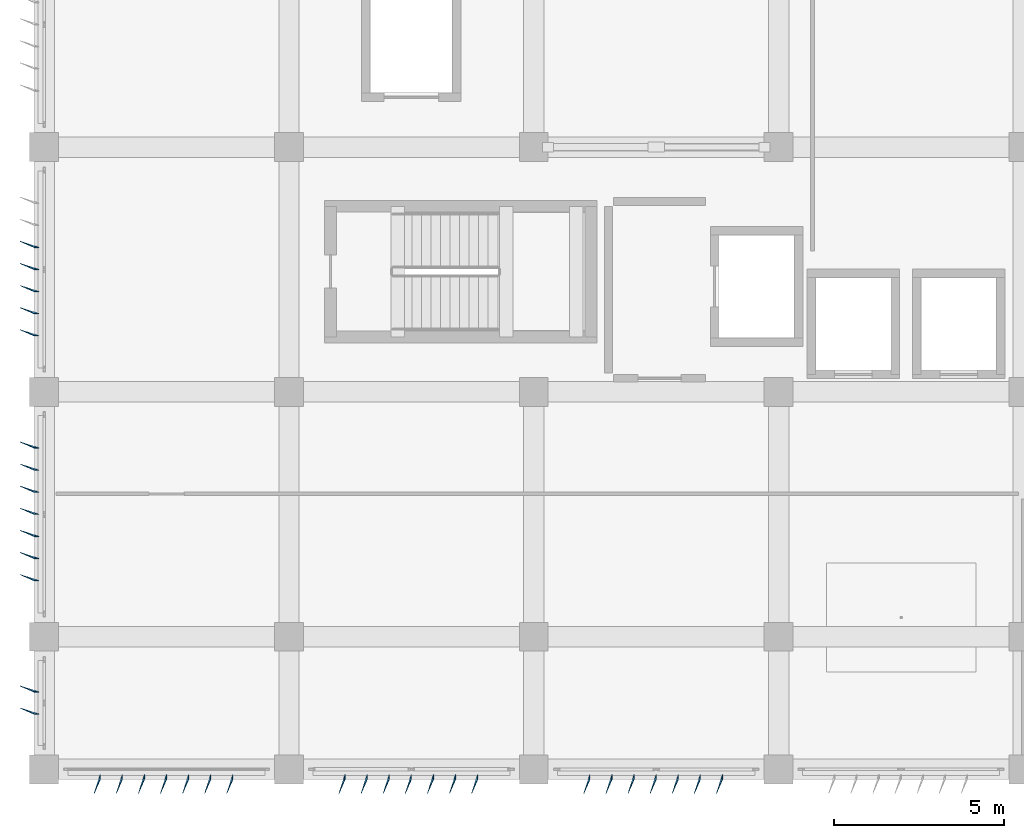
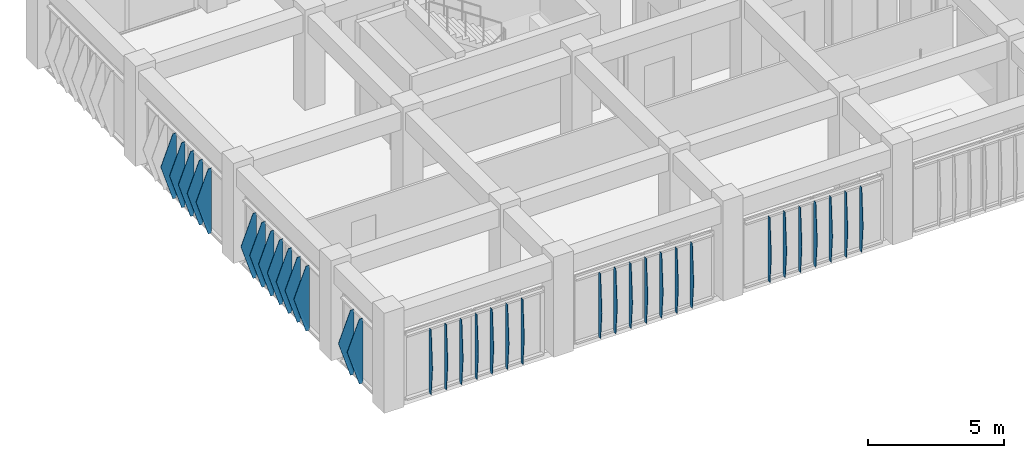
# One storey, part 42 of 48: 35 plates.
"""IFC4 building model written with IfcOpenShell, lengths in metres."""

from ifc_helpers import new_model, si_unit, direction, frame, origin, place, context, subcontext, project, spatial, polygons, material, layer, layer_set, type_object, element, save


model = new_model("IFC4")

# Units and contexts
model_context = context("Model", 3, precision=1e-05, world=origin(), true_north=direction((0.0, 1.0)))
body_context = subcontext(model_context, "Body", "Model", "MODEL_VIEW")
ifc_project = project(units=[si_unit("LENGTHUNIT", "METRE"), si_unit("AREAUNIT", "SQUARE_METRE"), si_unit("VOLUMEUNIT", "CUBIC_METRE"), si_unit("PLANEANGLEUNIT", "RADIAN"), si_unit("MASSUNIT", "GRAM", prefix="KILO")], contexts=[model_context])

# Site, building, storey
site_placement = place(None, origin())
site = spatial("IfcSite", under=ifc_project, at=site_placement, CompositionType="ELEMENT")
building_placement = place(site_placement, origin())
building = spatial("IfcBuilding", under=site, at=building_placement, Name="Kazehaya Institute of Natural Sciences", CompositionType="ELEMENT")
storey_placement = place(building_placement, frame((0.0, 0.0, 19.800048828125)))
storey = spatial("IfcBuildingStorey", under=building, at=storey_placement, Name="L04", CompositionType="ELEMENT", Elevation=19.800048828125)

# Plates
ifc_material = material(Name="Bronze-anodised aluminium alloy A6063S-T5", Category="aluminium")
ifc_layer_1 = layer(ifc_material, 0.02001953125, Name="Bronze-anodised aluminium alloy A6063S-T5", Category="aluminium")
ifc_layer_set_1 = layer_set([ifc_layer_1], Name="Bronze-anodised aluminium alloy A6063S-T5")
plate_type_1 = type_object("IfcPlateType", Name="FIN-DF-E1", PredefinedType="USERDEFINED", material=ifc_layer_set_1)
plate_1_placement = place(storey_placement, origin())
element("IfcPlate", 1, at=plate_1_placement, inside=storey, type_object=plate_type_1, Name="L04 folded diamond-pyramid shading fin FIN-L04-W-0186", ObjectType="SHADING_FIN", PredefinedType="USERDEFINED", context=body_context, shape_type="Tessellation", body=[
    polygons([(54.445068359375, 11.715087890625, 0.0400390625), (54.300048828125, 11.715087890625, 0.0400390625), (53.889892578125, 11.893798828125, 1.5), (54.300048828125, 11.715087890625, 2.9599609375), (54.445068359375, 11.715087890625, 2.9599609375), (54.445068359375, 11.735107421875, 0.0400390625), (54.300048828125, 11.735107421875, 0.0400390625), (53.889892578125, 11.913818359375, 1.5), (54.300048828125, 11.735107421875, 2.9599609375), (54.445068359375, 11.735107421875, 2.9599609375)], [[[1, 5, 4, 3, 2]], [[6, 7, 8, 9, 10]], [[1, 2, 7, 6]], [[2, 3, 8, 7]], [[3, 4, 9, 8]], [[4, 5, 10, 9]], [[5, 1, 6, 10]]], closed=True),
])
plate_2_placement = place(storey_placement, origin())
element("IfcPlate", 2, at=plate_2_placement, inside=storey, type_object=plate_type_1, Name="L04 folded diamond-pyramid shading fin FIN-L04-W-0187", ObjectType="SHADING_FIN", PredefinedType="USERDEFINED", context=body_context, shape_type="Tessellation", body=[
    polygons([(54.445068359375, 12.364990234375, 0.0400390625), (54.300048828125, 12.364990234375, 0.0400390625), (53.889892578125, 12.543701171875, 1.5), (54.300048828125, 12.364990234375, 2.9599609375), (54.445068359375, 12.364990234375, 2.9599609375), (54.445068359375, 12.385009765625, 0.0400390625), (54.300048828125, 12.385009765625, 0.0400390625), (53.889892578125, 12.563720703125, 1.5), (54.300048828125, 12.385009765625, 2.9599609375), (54.445068359375, 12.385009765625, 2.9599609375)], [[[1, 5, 4, 3, 2]], [[6, 7, 8, 9, 10]], [[1, 2, 7, 6]], [[2, 3, 8, 7]], [[3, 4, 9, 8]], [[4, 5, 10, 9]], [[5, 1, 6, 10]]], closed=True),
])
plate_3_placement = place(storey_placement, origin())
element("IfcPlate", 3, at=plate_3_placement, inside=storey, type_object=plate_type_1, Name="L04 folded diamond-pyramid shading fin FIN-L04-W-0190", ObjectType="SHADING_FIN", PredefinedType="USERDEFINED", context=body_context, shape_type="Tessellation", body=[
    polygons([(54.445068359375, 15.639892578125, 0.0400390625), (54.300048828125, 15.639892578125, 0.0400390625), (53.889892578125, 15.818603515625, 1.5), (54.300048828125, 15.639892578125, 2.9599609375), (54.445068359375, 15.639892578125, 2.9599609375), (54.445068359375, 15.659912109375, 0.0400390625), (54.300048828125, 15.659912109375, 0.0400390625), (53.889892578125, 15.838623046875, 1.5), (54.300048828125, 15.659912109375, 2.9599609375), (54.445068359375, 15.659912109375, 2.9599609375)], [[[1, 5, 4, 3, 2]], [[6, 7, 8, 9, 10]], [[1, 2, 7, 6]], [[2, 3, 8, 7]], [[3, 4, 9, 8]], [[4, 5, 10, 9]], [[5, 1, 6, 10]]], closed=True),
])
plate_4_placement = place(storey_placement, origin())
element("IfcPlate", 4, at=plate_4_placement, inside=storey, type_object=plate_type_1, Name="L04 folded diamond-pyramid shading fin FIN-L04-W-0191", ObjectType="SHADING_FIN", PredefinedType="USERDEFINED", context=body_context, shape_type="Tessellation", body=[
    polygons([(54.445068359375, 16.2900390625, 0.0400390625), (54.300048828125, 16.2900390625, 0.0400390625), (53.889892578125, 16.46875, 1.5), (54.300048828125, 16.2900390625, 2.9599609375), (54.445068359375, 16.2900390625, 2.9599609375), (54.445068359375, 16.31005859375, 0.0400390625), (54.300048828125, 16.31005859375, 0.0400390625), (53.889892578125, 16.48876953125, 1.5), (54.300048828125, 16.31005859375, 2.9599609375), (54.445068359375, 16.31005859375, 2.9599609375)], [[[1, 5, 4, 3, 2]], [[6, 7, 8, 9, 10]], [[1, 2, 7, 6]], [[2, 3, 8, 7]], [[3, 4, 9, 8]], [[4, 5, 10, 9]], [[5, 1, 6, 10]]], closed=True),
])
plate_5_placement = place(storey_placement, origin())
element("IfcPlate", 5, at=plate_5_placement, inside=storey, type_object=plate_type_1, Name="L04 folded diamond-pyramid shading fin FIN-L04-W-0192", ObjectType="SHADING_FIN", PredefinedType="USERDEFINED", context=body_context, shape_type="Tessellation", body=[
    polygons([(54.445068359375, 16.93994140625, 0.0400390625), (54.300048828125, 16.93994140625, 0.0400390625), (53.889892578125, 17.11865234375, 1.5), (54.300048828125, 16.93994140625, 2.9599609375), (54.445068359375, 16.93994140625, 2.9599609375), (54.445068359375, 16.9599609375, 0.0400390625), (54.300048828125, 16.9599609375, 0.0400390625), (53.889892578125, 17.138671875, 1.5), (54.300048828125, 16.9599609375, 2.9599609375), (54.445068359375, 16.9599609375, 2.9599609375)], [[[1, 5, 4, 3, 2]], [[6, 7, 8, 9, 10]], [[1, 2, 7, 6]], [[2, 3, 8, 7]], [[3, 4, 9, 8]], [[4, 5, 10, 9]], [[5, 1, 6, 10]]], closed=True),
])
plate_6_placement = place(storey_placement, origin())
element("IfcPlate", 6, at=plate_6_placement, inside=storey, type_object=plate_type_1, Name="L04 folded diamond-pyramid shading fin FIN-L04-W-0193", ObjectType="SHADING_FIN", PredefinedType="USERDEFINED", context=body_context, shape_type="Tessellation", body=[
    polygons([(54.445068359375, 17.590087890625, 0.0400390625), (54.300048828125, 17.590087890625, 0.0400390625), (53.889892578125, 17.768798828125, 1.5), (54.300048828125, 17.590087890625, 2.9599609375), (54.445068359375, 17.590087890625, 2.9599609375), (54.445068359375, 17.610107421875, 0.0400390625), (54.300048828125, 17.610107421875, 0.0400390625), (53.889892578125, 17.788818359375, 1.5), (54.300048828125, 17.610107421875, 2.9599609375), (54.445068359375, 17.610107421875, 2.9599609375)], [[[1, 5, 4, 3, 2]], [[6, 7, 8, 9, 10]], [[1, 2, 7, 6]], [[2, 3, 8, 7]], [[3, 4, 9, 8]], [[4, 5, 10, 9]], [[5, 1, 6, 10]]], closed=True),
])
plate_7_placement = place(storey_placement, origin())
element("IfcPlate", 7, at=plate_7_placement, inside=storey, type_object=plate_type_1, Name="L04 folded diamond-pyramid shading fin FIN-L04-W-0194", ObjectType="SHADING_FIN", PredefinedType="USERDEFINED", context=body_context, shape_type="Tessellation", body=[
    polygons([(54.445068359375, 18.239990234375, 0.0400390625), (54.300048828125, 18.239990234375, 0.0400390625), (53.889892578125, 18.418701171875, 1.5), (54.300048828125, 18.239990234375, 2.9599609375), (54.445068359375, 18.239990234375, 2.9599609375), (54.445068359375, 18.260009765625, 0.0400390625), (54.300048828125, 18.260009765625, 0.0400390625), (53.889892578125, 18.438720703125, 1.5), (54.300048828125, 18.260009765625, 2.9599609375), (54.445068359375, 18.260009765625, 2.9599609375)], [[[1, 5, 4, 3, 2]], [[6, 7, 8, 9, 10]], [[1, 2, 7, 6]], [[2, 3, 8, 7]], [[3, 4, 9, 8]], [[4, 5, 10, 9]], [[5, 1, 6, 10]]], closed=True),
])
plate_8_placement = place(storey_placement, origin())
element("IfcPlate", 8, at=plate_8_placement, inside=storey, type_object=plate_type_1, Name="L04 folded diamond-pyramid shading fin FIN-L04-W-0195", ObjectType="SHADING_FIN", PredefinedType="USERDEFINED", context=body_context, shape_type="Tessellation", body=[
    polygons([(54.445068359375, 18.889892578125, 0.0400390625), (54.300048828125, 18.889892578125, 0.0400390625), (53.889892578125, 19.068603515625, 1.5), (54.300048828125, 18.889892578125, 2.9599609375), (54.445068359375, 18.889892578125, 2.9599609375), (54.445068359375, 18.909912109375, 0.0400390625), (54.300048828125, 18.909912109375, 0.0400390625), (53.889892578125, 19.088623046875, 1.5), (54.300048828125, 18.909912109375, 2.9599609375), (54.445068359375, 18.909912109375, 2.9599609375)], [[[1, 5, 4, 3, 2]], [[6, 7, 8, 9, 10]], [[1, 2, 7, 6]], [[2, 3, 8, 7]], [[3, 4, 9, 8]], [[4, 5, 10, 9]], [[5, 1, 6, 10]]], closed=True),
])
plate_9_placement = place(storey_placement, origin())
element("IfcPlate", 9, at=plate_9_placement, inside=storey, type_object=plate_type_1, Name="L04 folded diamond-pyramid shading fin FIN-L04-W-0196", ObjectType="SHADING_FIN", PredefinedType="USERDEFINED", context=body_context, shape_type="Tessellation", body=[
    polygons([(54.445068359375, 19.5400390625, 0.0400390625), (54.300048828125, 19.5400390625, 0.0400390625), (53.889892578125, 19.71875, 1.5), (54.300048828125, 19.5400390625, 2.9599609375), (54.445068359375, 19.5400390625, 2.9599609375), (54.445068359375, 19.56005859375, 0.0400390625), (54.300048828125, 19.56005859375, 0.0400390625), (53.889892578125, 19.73876953125, 1.5), (54.300048828125, 19.56005859375, 2.9599609375), (54.445068359375, 19.56005859375, 2.9599609375)], [[[1, 5, 4, 3, 2]], [[6, 7, 8, 9, 10]], [[1, 2, 7, 6]], [[2, 3, 8, 7]], [[3, 4, 9, 8]], [[4, 5, 10, 9]], [[5, 1, 6, 10]]], closed=True),
])
plate_10_placement = place(storey_placement, origin())
element("IfcPlate", 10, at=plate_10_placement, inside=storey, type_object=plate_type_1, Name="L04 folded diamond-pyramid shading fin FIN-L04-W-0204", ObjectType="SHADING_FIN", PredefinedType="USERDEFINED", context=body_context, shape_type="Tessellation", body=[
    polygons([(54.445068359375, 22.840087890625, 0.0400390625), (54.300048828125, 22.840087890625, 0.0400390625), (53.889892578125, 23.018798828125, 1.5), (54.300048828125, 22.840087890625, 2.9599609375), (54.445068359375, 22.840087890625, 2.9599609375), (54.445068359375, 22.860107421875, 0.0400390625), (54.300048828125, 22.860107421875, 0.0400390625), (53.889892578125, 23.038818359375, 1.5), (54.300048828125, 22.860107421875, 2.9599609375), (54.445068359375, 22.860107421875, 2.9599609375)], [[[1, 5, 4, 3, 2]], [[6, 7, 8, 9, 10]], [[1, 2, 7, 6]], [[2, 3, 8, 7]], [[3, 4, 9, 8]], [[4, 5, 10, 9]], [[5, 1, 6, 10]]], closed=True),
])
plate_11_placement = place(storey_placement, origin())
element("IfcPlate", 11, at=plate_11_placement, inside=storey, type_object=plate_type_1, Name="L04 folded diamond-pyramid shading fin FIN-L04-W-0205", ObjectType="SHADING_FIN", PredefinedType="USERDEFINED", context=body_context, shape_type="Tessellation", body=[
    polygons([(54.445068359375, 23.489990234375, 0.0400390625), (54.300048828125, 23.489990234375, 0.0400390625), (53.889892578125, 23.668701171875, 1.5), (54.300048828125, 23.489990234375, 2.9599609375), (54.445068359375, 23.489990234375, 2.9599609375), (54.445068359375, 23.510009765625, 0.0400390625), (54.300048828125, 23.510009765625, 0.0400390625), (53.889892578125, 23.688720703125, 1.5), (54.300048828125, 23.510009765625, 2.9599609375), (54.445068359375, 23.510009765625, 2.9599609375)], [[[1, 5, 4, 3, 2]], [[6, 7, 8, 9, 10]], [[1, 2, 7, 6]], [[2, 3, 8, 7]], [[3, 4, 9, 8]], [[4, 5, 10, 9]], [[5, 1, 6, 10]]], closed=True),
])
plate_12_placement = place(storey_placement, origin())
element("IfcPlate", 12, at=plate_12_placement, inside=storey, type_object=plate_type_1, Name="L04 folded diamond-pyramid shading fin FIN-L04-W-0206", ObjectType="SHADING_FIN", PredefinedType="USERDEFINED", context=body_context, shape_type="Tessellation", body=[
    polygons([(54.445068359375, 24.139892578125, 0.0400390625), (54.300048828125, 24.139892578125, 0.0400390625), (53.889892578125, 24.318603515625, 1.5), (54.300048828125, 24.139892578125, 2.9599609375), (54.445068359375, 24.139892578125, 2.9599609375), (54.445068359375, 24.159912109375, 0.0400390625), (54.300048828125, 24.159912109375, 0.0400390625), (53.889892578125, 24.338623046875, 1.5), (54.300048828125, 24.159912109375, 2.9599609375), (54.445068359375, 24.159912109375, 2.9599609375)], [[[1, 5, 4, 3, 2]], [[6, 7, 8, 9, 10]], [[1, 2, 7, 6]], [[2, 3, 8, 7]], [[3, 4, 9, 8]], [[4, 5, 10, 9]], [[5, 1, 6, 10]]], closed=True),
])
plate_13_placement = place(storey_placement, origin())
element("IfcPlate", 13, at=plate_13_placement, inside=storey, type_object=plate_type_1, Name="L04 folded diamond-pyramid shading fin FIN-L04-W-0207", ObjectType="SHADING_FIN", PredefinedType="USERDEFINED", context=body_context, shape_type="Tessellation", body=[
    polygons([(54.445068359375, 24.7900390625, 0.0400390625), (54.300048828125, 24.7900390625, 0.0400390625), (53.889892578125, 24.96875, 1.5), (54.300048828125, 24.7900390625, 2.9599609375), (54.445068359375, 24.7900390625, 2.9599609375), (54.445068359375, 24.81005859375, 0.0400390625), (54.300048828125, 24.81005859375, 0.0400390625), (53.889892578125, 24.98876953125, 1.5), (54.300048828125, 24.81005859375, 2.9599609375), (54.445068359375, 24.81005859375, 2.9599609375)], [[[1, 5, 4, 3, 2]], [[6, 7, 8, 9, 10]], [[1, 2, 7, 6]], [[2, 3, 8, 7]], [[3, 4, 9, 8]], [[4, 5, 10, 9]], [[5, 1, 6, 10]]], closed=True),
])
plate_14_placement = place(storey_placement, origin())
element("IfcPlate", 14, at=plate_14_placement, inside=storey, type_object=plate_type_1, Name="L04 folded diamond-pyramid shading fin FIN-L04-W-0208", ObjectType="SHADING_FIN", PredefinedType="USERDEFINED", context=body_context, shape_type="Tessellation", body=[
    polygons([(54.445068359375, 25.43994140625, 0.0400390625), (54.300048828125, 25.43994140625, 0.0400390625), (53.889892578125, 25.61865234375, 1.5), (54.300048828125, 25.43994140625, 2.9599609375), (54.445068359375, 25.43994140625, 2.9599609375), (54.445068359375, 25.4599609375, 0.0400390625), (54.300048828125, 25.4599609375, 0.0400390625), (53.889892578125, 25.638671875, 1.5), (54.300048828125, 25.4599609375, 2.9599609375), (54.445068359375, 25.4599609375, 2.9599609375)], [[[1, 5, 4, 3, 2]], [[6, 7, 8, 9, 10]], [[1, 2, 7, 6]], [[2, 3, 8, 7]], [[3, 4, 9, 8]], [[4, 5, 10, 9]], [[5, 1, 6, 10]]], closed=True),
])
ifc_layer_2 = layer(ifc_material, 0.02001953125, Name="Bronze-anodised aluminium alloy A6063S-T5", Category="aluminium")
ifc_layer_set_2 = layer_set([ifc_layer_2], Name="Bronze-anodised aluminium alloy A6063S-T5")
plate_type_2 = type_object("IfcPlateType", Name="FIN-DF-S1", PredefinedType="USERDEFINED", material=ifc_layer_set_2)
plate_15_placement = place(storey_placement, origin())
element("IfcPlate", 15, at=plate_15_placement, inside=storey, type_object=plate_type_2, Name="L04 folded diamond-pyramid shading fin FIN-L04-S-0155", ObjectType="SHADING_FIN", PredefinedType="USERDEFINED", context=body_context, shape_type="Tessellation", body=[
    polygons([(74.56005859375, 9.945068359375, 0.0400390625), (74.56005859375, 9.800048828125, 0.0400390625), (74.38134765625, 9.389892578125, 1.5), (74.56005859375, 9.800048828125, 2.9599609375), (74.56005859375, 9.945068359375, 2.9599609375), (74.5400390625, 9.945068359375, 0.0400390625), (74.5400390625, 9.800048828125, 0.0400390625), (74.361328125, 9.389892578125, 1.5), (74.5400390625, 9.800048828125, 2.9599609375), (74.5400390625, 9.945068359375, 2.9599609375)], [[[1, 5, 4, 3, 2]], [[6, 7, 8, 9, 10]], [[1, 2, 7, 6]], [[2, 3, 8, 7]], [[3, 4, 9, 8]], [[4, 5, 10, 9]], [[5, 1, 6, 10]]], closed=True),
])
plate_16_placement = place(storey_placement, origin())
element("IfcPlate", 16, at=plate_16_placement, inside=storey, type_object=plate_type_2, Name="L04 folded diamond-pyramid shading fin FIN-L04-S-0156", ObjectType="SHADING_FIN", PredefinedType="USERDEFINED", context=body_context, shape_type="Tessellation", body=[
    polygons([(73.909912109375, 9.945068359375, 0.0400390625), (73.909912109375, 9.800048828125, 0.0400390625), (73.731201171875, 9.389892578125, 1.5), (73.909912109375, 9.800048828125, 2.9599609375), (73.909912109375, 9.945068359375, 2.9599609375), (73.889892578125, 9.945068359375, 0.0400390625), (73.889892578125, 9.800048828125, 0.0400390625), (73.711181640625, 9.389892578125, 1.5), (73.889892578125, 9.800048828125, 2.9599609375), (73.889892578125, 9.945068359375, 2.9599609375)], [[[1, 5, 4, 3, 2]], [[6, 7, 8, 9, 10]], [[1, 2, 7, 6]], [[2, 3, 8, 7]], [[3, 4, 9, 8]], [[4, 5, 10, 9]], [[5, 1, 6, 10]]], closed=True),
])
plate_17_placement = place(storey_placement, origin())
element("IfcPlate", 17, at=plate_17_placement, inside=storey, type_object=plate_type_2, Name="L04 folded diamond-pyramid shading fin FIN-L04-S-0157", ObjectType="SHADING_FIN", PredefinedType="USERDEFINED", context=body_context, shape_type="Tessellation", body=[
    polygons([(73.260009765625, 9.945068359375, 0.0400390625), (73.260009765625, 9.800048828125, 0.0400390625), (73.081298828125, 9.389892578125, 1.5), (73.260009765625, 9.800048828125, 2.9599609375), (73.260009765625, 9.945068359375, 2.9599609375), (73.239990234375, 9.945068359375, 0.0400390625), (73.239990234375, 9.800048828125, 0.0400390625), (73.061279296875, 9.389892578125, 1.5), (73.239990234375, 9.800048828125, 2.9599609375), (73.239990234375, 9.945068359375, 2.9599609375)], [[[1, 5, 4, 3, 2]], [[6, 7, 8, 9, 10]], [[1, 2, 7, 6]], [[2, 3, 8, 7]], [[3, 4, 9, 8]], [[4, 5, 10, 9]], [[5, 1, 6, 10]]], closed=True),
])
plate_18_placement = place(storey_placement, origin())
element("IfcPlate", 18, at=plate_18_placement, inside=storey, type_object=plate_type_2, Name="L04 folded diamond-pyramid shading fin FIN-L04-S-0158", ObjectType="SHADING_FIN", PredefinedType="USERDEFINED", context=body_context, shape_type="Tessellation", body=[
    polygons([(72.610107421875, 9.945068359375, 0.0400390625), (72.610107421875, 9.800048828125, 0.0400390625), (72.431396484375, 9.389892578125, 1.5), (72.610107421875, 9.800048828125, 2.9599609375), (72.610107421875, 9.945068359375, 2.9599609375), (72.590087890625, 9.945068359375, 0.0400390625), (72.590087890625, 9.800048828125, 0.0400390625), (72.411376953125, 9.389892578125, 1.5), (72.590087890625, 9.800048828125, 2.9599609375), (72.590087890625, 9.945068359375, 2.9599609375)], [[[1, 5, 4, 3, 2]], [[6, 7, 8, 9, 10]], [[1, 2, 7, 6]], [[2, 3, 8, 7]], [[3, 4, 9, 8]], [[4, 5, 10, 9]], [[5, 1, 6, 10]]], closed=True),
])
plate_19_placement = place(storey_placement, origin())
element("IfcPlate", 19, at=plate_19_placement, inside=storey, type_object=plate_type_2, Name="L04 folded diamond-pyramid shading fin FIN-L04-S-0159", ObjectType="SHADING_FIN", PredefinedType="USERDEFINED", context=body_context, shape_type="Tessellation", body=[
    polygons([(71.9599609375, 9.945068359375, 0.0400390625), (71.9599609375, 9.800048828125, 0.0400390625), (71.78125, 9.389892578125, 1.5), (71.9599609375, 9.800048828125, 2.9599609375), (71.9599609375, 9.945068359375, 2.9599609375), (71.93994140625, 9.945068359375, 0.0400390625), (71.93994140625, 9.800048828125, 0.0400390625), (71.76123046875, 9.389892578125, 1.5), (71.93994140625, 9.800048828125, 2.9599609375), (71.93994140625, 9.945068359375, 2.9599609375)], [[[1, 5, 4, 3, 2]], [[6, 7, 8, 9, 10]], [[1, 2, 7, 6]], [[2, 3, 8, 7]], [[3, 4, 9, 8]], [[4, 5, 10, 9]], [[5, 1, 6, 10]]], closed=True),
])
plate_20_placement = place(storey_placement, origin())
element("IfcPlate", 20, at=plate_20_placement, inside=storey, type_object=plate_type_2, Name="L04 folded diamond-pyramid shading fin FIN-L04-S-0160", ObjectType="SHADING_FIN", PredefinedType="USERDEFINED", context=body_context, shape_type="Tessellation", body=[
    polygons([(71.31005859375, 9.945068359375, 0.0400390625), (71.31005859375, 9.800048828125, 0.0400390625), (71.13134765625, 9.389892578125, 1.5), (71.31005859375, 9.800048828125, 2.9599609375), (71.31005859375, 9.945068359375, 2.9599609375), (71.2900390625, 9.945068359375, 0.0400390625), (71.2900390625, 9.800048828125, 0.0400390625), (71.111328125, 9.389892578125, 1.5), (71.2900390625, 9.800048828125, 2.9599609375), (71.2900390625, 9.945068359375, 2.9599609375)], [[[1, 5, 4, 3, 2]], [[6, 7, 8, 9, 10]], [[1, 2, 7, 6]], [[2, 3, 8, 7]], [[3, 4, 9, 8]], [[4, 5, 10, 9]], [[5, 1, 6, 10]]], closed=True),
])
plate_21_placement = place(storey_placement, origin())
element("IfcPlate", 21, at=plate_21_placement, inside=storey, type_object=plate_type_2, Name="L04 folded diamond-pyramid shading fin FIN-L04-S-0161", ObjectType="SHADING_FIN", PredefinedType="USERDEFINED", context=body_context, shape_type="Tessellation", body=[
    polygons([(70.659912109375, 9.945068359375, 0.0400390625), (70.659912109375, 9.800048828125, 0.0400390625), (70.481201171875, 9.389892578125, 1.5), (70.659912109375, 9.800048828125, 2.9599609375), (70.659912109375, 9.945068359375, 2.9599609375), (70.639892578125, 9.945068359375, 0.0400390625), (70.639892578125, 9.800048828125, 0.0400390625), (70.461181640625, 9.389892578125, 1.5), (70.639892578125, 9.800048828125, 2.9599609375), (70.639892578125, 9.945068359375, 2.9599609375)], [[[1, 5, 4, 3, 2]], [[6, 7, 8, 9, 10]], [[1, 2, 7, 6]], [[2, 3, 8, 7]], [[3, 4, 9, 8]], [[4, 5, 10, 9]], [[5, 1, 6, 10]]], closed=True),
])
plate_22_placement = place(storey_placement, origin())
element("IfcPlate", 22, at=plate_22_placement, inside=storey, type_object=plate_type_2, Name="L04 folded diamond-pyramid shading fin FIN-L04-S-0162", ObjectType="SHADING_FIN", PredefinedType="USERDEFINED", context=body_context, shape_type="Tessellation", body=[
    polygons([(67.360107421875, 9.945068359375, 0.0400390625), (67.360107421875, 9.800048828125, 0.0400390625), (67.181396484375, 9.389892578125, 1.5), (67.360107421875, 9.800048828125, 2.9599609375), (67.360107421875, 9.945068359375, 2.9599609375), (67.340087890625, 9.945068359375, 0.0400390625), (67.340087890625, 9.800048828125, 0.0400390625), (67.161376953125, 9.389892578125, 1.5), (67.340087890625, 9.800048828125, 2.9599609375), (67.340087890625, 9.945068359375, 2.9599609375)], [[[1, 5, 4, 3, 2]], [[6, 7, 8, 9, 10]], [[1, 2, 7, 6]], [[2, 3, 8, 7]], [[3, 4, 9, 8]], [[4, 5, 10, 9]], [[5, 1, 6, 10]]], closed=True),
])
plate_23_placement = place(storey_placement, origin())
element("IfcPlate", 23, at=plate_23_placement, inside=storey, type_object=plate_type_2, Name="L04 folded diamond-pyramid shading fin FIN-L04-S-0163", ObjectType="SHADING_FIN", PredefinedType="USERDEFINED", context=body_context, shape_type="Tessellation", body=[
    polygons([(66.7099609375, 9.945068359375, 0.0400390625), (66.7099609375, 9.800048828125, 0.0400390625), (66.53125, 9.389892578125, 1.5), (66.7099609375, 9.800048828125, 2.9599609375), (66.7099609375, 9.945068359375, 2.9599609375), (66.68994140625, 9.945068359375, 0.0400390625), (66.68994140625, 9.800048828125, 0.0400390625), (66.51123046875, 9.389892578125, 1.5), (66.68994140625, 9.800048828125, 2.9599609375), (66.68994140625, 9.945068359375, 2.9599609375)], [[[1, 5, 4, 3, 2]], [[6, 7, 8, 9, 10]], [[1, 2, 7, 6]], [[2, 3, 8, 7]], [[3, 4, 9, 8]], [[4, 5, 10, 9]], [[5, 1, 6, 10]]], closed=True),
])
plate_24_placement = place(storey_placement, origin())
element("IfcPlate", 24, at=plate_24_placement, inside=storey, type_object=plate_type_2, Name="L04 folded diamond-pyramid shading fin FIN-L04-S-0164", ObjectType="SHADING_FIN", PredefinedType="USERDEFINED", context=body_context, shape_type="Tessellation", body=[
    polygons([(66.06005859375, 9.945068359375, 0.0400390625), (66.06005859375, 9.800048828125, 0.0400390625), (65.88134765625, 9.389892578125, 1.5), (66.06005859375, 9.800048828125, 2.9599609375), (66.06005859375, 9.945068359375, 2.9599609375), (66.0400390625, 9.945068359375, 0.0400390625), (66.0400390625, 9.800048828125, 0.0400390625), (65.861328125, 9.389892578125, 1.5), (66.0400390625, 9.800048828125, 2.9599609375), (66.0400390625, 9.945068359375, 2.9599609375)], [[[1, 5, 4, 3, 2]], [[6, 7, 8, 9, 10]], [[1, 2, 7, 6]], [[2, 3, 8, 7]], [[3, 4, 9, 8]], [[4, 5, 10, 9]], [[5, 1, 6, 10]]], closed=True),
])
plate_25_placement = place(storey_placement, origin())
element("IfcPlate", 25, at=plate_25_placement, inside=storey, type_object=plate_type_2, Name="L04 folded diamond-pyramid shading fin FIN-L04-S-0165", ObjectType="SHADING_FIN", PredefinedType="USERDEFINED", context=body_context, shape_type="Tessellation", body=[
    polygons([(65.409912109375, 9.945068359375, 0.0400390625), (65.409912109375, 9.800048828125, 0.0400390625), (65.231201171875, 9.389892578125, 1.5), (65.409912109375, 9.800048828125, 2.9599609375), (65.409912109375, 9.945068359375, 2.9599609375), (65.389892578125, 9.945068359375, 0.0400390625), (65.389892578125, 9.800048828125, 0.0400390625), (65.211181640625, 9.389892578125, 1.5), (65.389892578125, 9.800048828125, 2.9599609375), (65.389892578125, 9.945068359375, 2.9599609375)], [[[1, 5, 4, 3, 2]], [[6, 7, 8, 9, 10]], [[1, 2, 7, 6]], [[2, 3, 8, 7]], [[3, 4, 9, 8]], [[4, 5, 10, 9]], [[5, 1, 6, 10]]], closed=True),
])
plate_26_placement = place(storey_placement, origin())
element("IfcPlate", 26, at=plate_26_placement, inside=storey, type_object=plate_type_2, Name="L04 folded diamond-pyramid shading fin FIN-L04-S-0166", ObjectType="SHADING_FIN", PredefinedType="USERDEFINED", context=body_context, shape_type="Tessellation", body=[
    polygons([(64.760009765625, 9.945068359375, 0.0400390625), (64.760009765625, 9.800048828125, 0.0400390625), (64.581298828125, 9.389892578125, 1.5), (64.760009765625, 9.800048828125, 2.9599609375), (64.760009765625, 9.945068359375, 2.9599609375), (64.739990234375, 9.945068359375, 0.0400390625), (64.739990234375, 9.800048828125, 0.0400390625), (64.561279296875, 9.389892578125, 1.5), (64.739990234375, 9.800048828125, 2.9599609375), (64.739990234375, 9.945068359375, 2.9599609375)], [[[1, 5, 4, 3, 2]], [[6, 7, 8, 9, 10]], [[1, 2, 7, 6]], [[2, 3, 8, 7]], [[3, 4, 9, 8]], [[4, 5, 10, 9]], [[5, 1, 6, 10]]], closed=True),
])
plate_27_placement = place(storey_placement, origin())
element("IfcPlate", 27, at=plate_27_placement, inside=storey, type_object=plate_type_2, Name="L04 folded diamond-pyramid shading fin FIN-L04-S-0167", ObjectType="SHADING_FIN", PredefinedType="USERDEFINED", context=body_context, shape_type="Tessellation", body=[
    polygons([(64.110107421875, 9.945068359375, 0.0400390625), (64.110107421875, 9.800048828125, 0.0400390625), (63.931396484375, 9.389892578125, 1.5), (64.110107421875, 9.800048828125, 2.9599609375), (64.110107421875, 9.945068359375, 2.9599609375), (64.090087890625, 9.945068359375, 0.0400390625), (64.090087890625, 9.800048828125, 0.0400390625), (63.911376953125, 9.389892578125, 1.5), (64.090087890625, 9.800048828125, 2.9599609375), (64.090087890625, 9.945068359375, 2.9599609375)], [[[1, 5, 4, 3, 2]], [[6, 7, 8, 9, 10]], [[1, 2, 7, 6]], [[2, 3, 8, 7]], [[3, 4, 9, 8]], [[4, 5, 10, 9]], [[5, 1, 6, 10]]], closed=True),
])
plate_28_placement = place(storey_placement, origin())
element("IfcPlate", 28, at=plate_28_placement, inside=storey, type_object=plate_type_2, Name="L04 folded diamond-pyramid shading fin FIN-L04-S-0168", ObjectType="SHADING_FIN", PredefinedType="USERDEFINED", context=body_context, shape_type="Tessellation", body=[
    polygons([(63.4599609375, 9.945068359375, 0.0400390625), (63.4599609375, 9.800048828125, 0.0400390625), (63.28125, 9.389892578125, 1.5), (63.4599609375, 9.800048828125, 2.9599609375), (63.4599609375, 9.945068359375, 2.9599609375), (63.43994140625, 9.945068359375, 0.0400390625), (63.43994140625, 9.800048828125, 0.0400390625), (63.26123046875, 9.389892578125, 1.5), (63.43994140625, 9.800048828125, 2.9599609375), (63.43994140625, 9.945068359375, 2.9599609375)], [[[1, 5, 4, 3, 2]], [[6, 7, 8, 9, 10]], [[1, 2, 7, 6]], [[2, 3, 8, 7]], [[3, 4, 9, 8]], [[4, 5, 10, 9]], [[5, 1, 6, 10]]], closed=True),
])
plate_29_placement = place(storey_placement, origin())
element("IfcPlate", 29, at=plate_29_placement, inside=storey, type_object=plate_type_2, Name="L04 folded diamond-pyramid shading fin FIN-L04-S-0169", ObjectType="SHADING_FIN", PredefinedType="USERDEFINED", context=body_context, shape_type="Tessellation", body=[
    polygons([(60.159912109375, 9.945068359375, 0.0400390625), (60.159912109375, 9.800048828125, 0.0400390625), (59.981201171875, 9.389892578125, 1.5), (60.159912109375, 9.800048828125, 2.9599609375), (60.159912109375, 9.945068359375, 2.9599609375), (60.139892578125, 9.945068359375, 0.0400390625), (60.139892578125, 9.800048828125, 0.0400390625), (59.961181640625, 9.389892578125, 1.5), (60.139892578125, 9.800048828125, 2.9599609375), (60.139892578125, 9.945068359375, 2.9599609375)], [[[1, 5, 4, 3, 2]], [[6, 7, 8, 9, 10]], [[1, 2, 7, 6]], [[2, 3, 8, 7]], [[3, 4, 9, 8]], [[4, 5, 10, 9]], [[5, 1, 6, 10]]], closed=True),
])
plate_30_placement = place(storey_placement, origin())
element("IfcPlate", 30, at=plate_30_placement, inside=storey, type_object=plate_type_2, Name="L04 folded diamond-pyramid shading fin FIN-L04-S-0170", ObjectType="SHADING_FIN", PredefinedType="USERDEFINED", context=body_context, shape_type="Tessellation", body=[
    polygons([(59.510009765625, 9.945068359375, 0.0400390625), (59.510009765625, 9.800048828125, 0.0400390625), (59.331298828125, 9.389892578125, 1.5), (59.510009765625, 9.800048828125, 2.9599609375), (59.510009765625, 9.945068359375, 2.9599609375), (59.489990234375, 9.945068359375, 0.0400390625), (59.489990234375, 9.800048828125, 0.0400390625), (59.311279296875, 9.389892578125, 1.5), (59.489990234375, 9.800048828125, 2.9599609375), (59.489990234375, 9.945068359375, 2.9599609375)], [[[1, 5, 4, 3, 2]], [[6, 7, 8, 9, 10]], [[1, 2, 7, 6]], [[2, 3, 8, 7]], [[3, 4, 9, 8]], [[4, 5, 10, 9]], [[5, 1, 6, 10]]], closed=True),
])
plate_31_placement = place(storey_placement, origin())
element("IfcPlate", 31, at=plate_31_placement, inside=storey, type_object=plate_type_2, Name="L04 folded diamond-pyramid shading fin FIN-L04-S-0171", ObjectType="SHADING_FIN", PredefinedType="USERDEFINED", context=body_context, shape_type="Tessellation", body=[
    polygons([(58.860107421875, 9.945068359375, 0.0400390625), (58.860107421875, 9.800048828125, 0.0400390625), (58.681396484375, 9.389892578125, 1.5), (58.860107421875, 9.800048828125, 2.9599609375), (58.860107421875, 9.945068359375, 2.9599609375), (58.840087890625, 9.945068359375, 0.0400390625), (58.840087890625, 9.800048828125, 0.0400390625), (58.661376953125, 9.389892578125, 1.5), (58.840087890625, 9.800048828125, 2.9599609375), (58.840087890625, 9.945068359375, 2.9599609375)], [[[1, 5, 4, 3, 2]], [[6, 7, 8, 9, 10]], [[1, 2, 7, 6]], [[2, 3, 8, 7]], [[3, 4, 9, 8]], [[4, 5, 10, 9]], [[5, 1, 6, 10]]], closed=True),
])
plate_32_placement = place(storey_placement, origin())
element("IfcPlate", 32, at=plate_32_placement, inside=storey, type_object=plate_type_2, Name="L04 folded diamond-pyramid shading fin FIN-L04-S-0172", ObjectType="SHADING_FIN", PredefinedType="USERDEFINED", context=body_context, shape_type="Tessellation", body=[
    polygons([(58.2099609375, 9.945068359375, 0.0400390625), (58.2099609375, 9.800048828125, 0.0400390625), (58.03125, 9.389892578125, 1.5), (58.2099609375, 9.800048828125, 2.9599609375), (58.2099609375, 9.945068359375, 2.9599609375), (58.18994140625, 9.945068359375, 0.0400390625), (58.18994140625, 9.800048828125, 0.0400390625), (58.01123046875, 9.389892578125, 1.5), (58.18994140625, 9.800048828125, 2.9599609375), (58.18994140625, 9.945068359375, 2.9599609375)], [[[1, 5, 4, 3, 2]], [[6, 7, 8, 9, 10]], [[1, 2, 7, 6]], [[2, 3, 8, 7]], [[3, 4, 9, 8]], [[4, 5, 10, 9]], [[5, 1, 6, 10]]], closed=True),
])
plate_33_placement = place(storey_placement, origin())
element("IfcPlate", 33, at=plate_33_placement, inside=storey, type_object=plate_type_2, Name="L04 folded diamond-pyramid shading fin FIN-L04-S-0173", ObjectType="SHADING_FIN", PredefinedType="USERDEFINED", context=body_context, shape_type="Tessellation", body=[
    polygons([(57.56005859375, 9.945068359375, 0.0400390625), (57.56005859375, 9.800048828125, 0.0400390625), (57.38134765625, 9.389892578125, 1.5), (57.56005859375, 9.800048828125, 2.9599609375), (57.56005859375, 9.945068359375, 2.9599609375), (57.5400390625, 9.945068359375, 0.0400390625), (57.5400390625, 9.800048828125, 0.0400390625), (57.361328125, 9.389892578125, 1.5), (57.5400390625, 9.800048828125, 2.9599609375), (57.5400390625, 9.945068359375, 2.9599609375)], [[[1, 5, 4, 3, 2]], [[6, 7, 8, 9, 10]], [[1, 2, 7, 6]], [[2, 3, 8, 7]], [[3, 4, 9, 8]], [[4, 5, 10, 9]], [[5, 1, 6, 10]]], closed=True),
])
plate_34_placement = place(storey_placement, origin())
element("IfcPlate", 34, at=plate_34_placement, inside=storey, type_object=plate_type_2, Name="L04 folded diamond-pyramid shading fin FIN-L04-S-0174", ObjectType="SHADING_FIN", PredefinedType="USERDEFINED", context=body_context, shape_type="Tessellation", body=[
    polygons([(56.909912109375, 9.945068359375, 0.0400390625), (56.909912109375, 9.800048828125, 0.0400390625), (56.731201171875, 9.389892578125, 1.5), (56.909912109375, 9.800048828125, 2.9599609375), (56.909912109375, 9.945068359375, 2.9599609375), (56.889892578125, 9.945068359375, 0.0400390625), (56.889892578125, 9.800048828125, 0.0400390625), (56.711181640625, 9.389892578125, 1.5), (56.889892578125, 9.800048828125, 2.9599609375), (56.889892578125, 9.945068359375, 2.9599609375)], [[[1, 5, 4, 3, 2]], [[6, 7, 8, 9, 10]], [[1, 2, 7, 6]], [[2, 3, 8, 7]], [[3, 4, 9, 8]], [[4, 5, 10, 9]], [[5, 1, 6, 10]]], closed=True),
])
plate_35_placement = place(storey_placement, origin())
element("IfcPlate", 35, at=plate_35_placement, inside=storey, type_object=plate_type_2, Name="L04 folded diamond-pyramid shading fin FIN-L04-S-0175", ObjectType="SHADING_FIN", PredefinedType="USERDEFINED", context=body_context, shape_type="Tessellation", body=[
    polygons([(56.260009765625, 9.945068359375, 0.0400390625), (56.260009765625, 9.800048828125, 0.0400390625), (56.081298828125, 9.389892578125, 1.5), (56.260009765625, 9.800048828125, 2.9599609375), (56.260009765625, 9.945068359375, 2.9599609375), (56.239990234375, 9.945068359375, 0.0400390625), (56.239990234375, 9.800048828125, 0.0400390625), (56.061279296875, 9.389892578125, 1.5), (56.239990234375, 9.800048828125, 2.9599609375), (56.239990234375, 9.945068359375, 2.9599609375)], [[[1, 5, 4, 3, 2]], [[6, 7, 8, 9, 10]], [[1, 2, 7, 6]], [[2, 3, 8, 7]], [[3, 4, 9, 8]], [[4, 5, 10, 9]], [[5, 1, 6, 10]]], closed=True),
])

save(model, "model.ifc")
